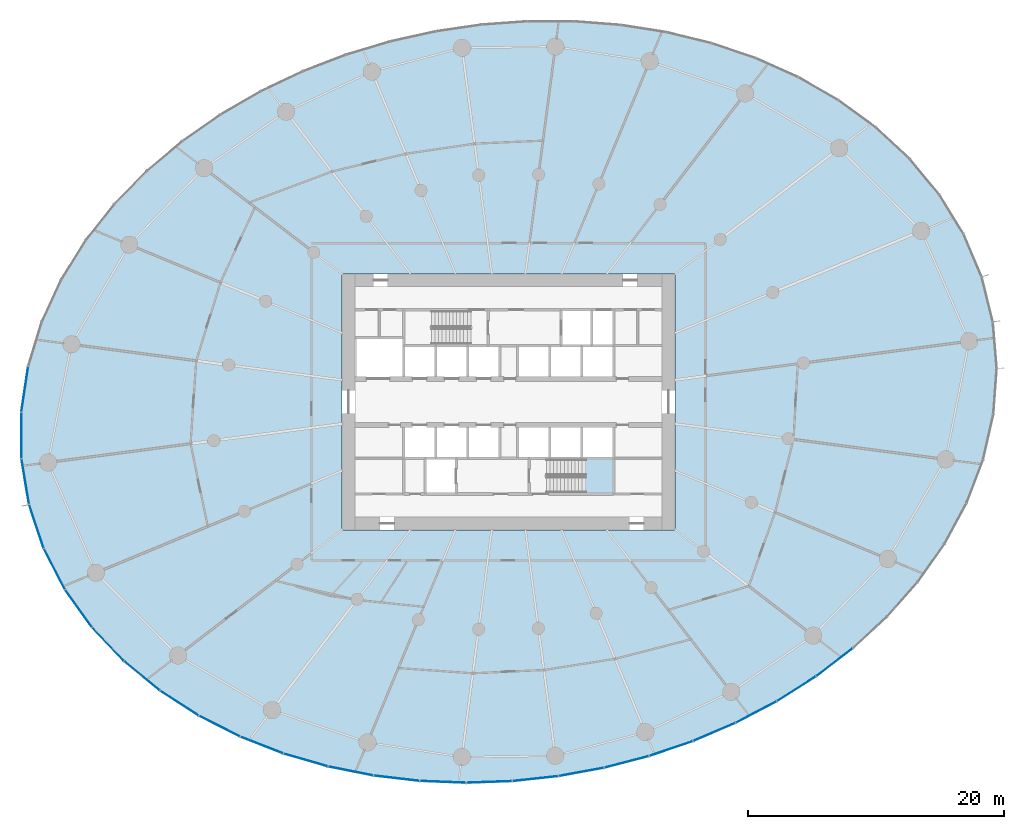
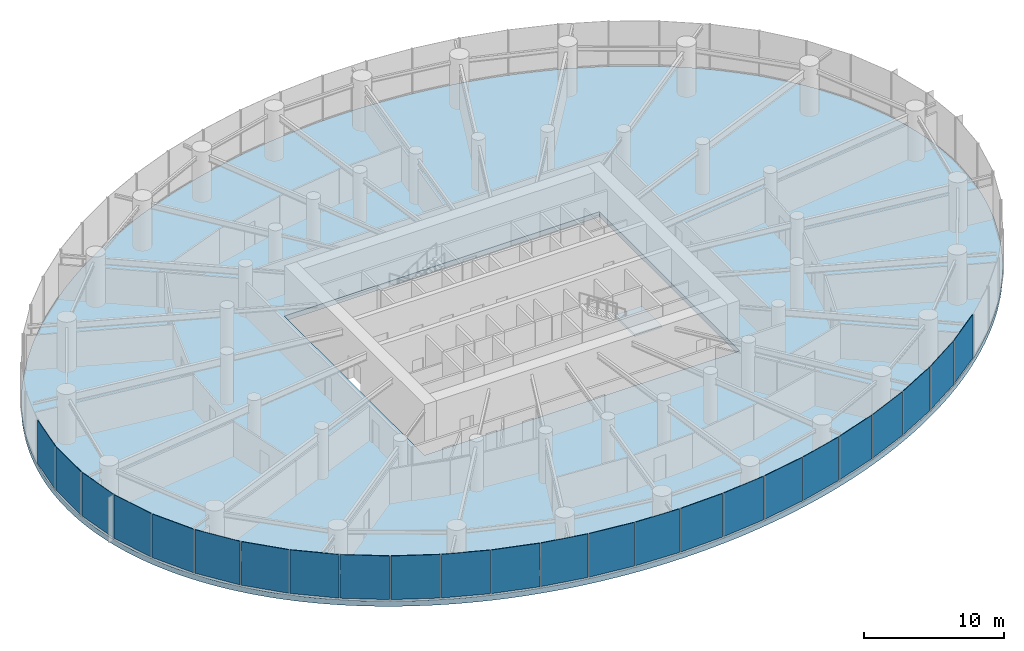
# One storey, part 10 of 19: 24 plates, 2 slabs, 6 elements without a shape of their own.
"""IFC4 building model written with IfcOpenShell, lengths in metres."""

from ifc_helpers import new_model, si_unit, direction, frame, origin, origin_2d, place, context, subcontext, project, spatial, line, indexed_curve, rectangle, outline, extrude, source, transform, mapped, material, layer, layer_set, type_object, element, aggregate, save


model = new_model("IFC4")

# Units and contexts
model_context = context("Model", 3, precision=1e-05, world=origin(), true_north=direction((0.0, 1.0)))
body_context = subcontext(model_context, "Body", "Model", "MODEL_VIEW")
ifc_project = project(units=[si_unit("LENGTHUNIT", "METRE"), si_unit("AREAUNIT", "SQUARE_METRE"), si_unit("VOLUMEUNIT", "CUBIC_METRE"), si_unit("PLANEANGLEUNIT", "RADIAN"), si_unit("MASSUNIT", "GRAM", prefix="KILO")], contexts=[model_context])

# Site, building, storey
site_placement = place(None, origin())
site = spatial("IfcSite", under=ifc_project, at=site_placement, CompositionType="ELEMENT")
building_placement = place(site_placement, origin())
building = spatial("IfcBuilding", under=site, at=building_placement, Name="Spindrift Exchange Tower", CompositionType="ELEMENT")
storey_placement = place(building_placement, frame((0.0, 0.0, 49.0)))
storey = spatial("IfcBuildingStorey", under=building, at=storey_placement, Name="L11", CompositionType="ELEMENT", Elevation=49.0)

# Slab
ifc_material_1 = material(Name="Concrete 50 MPa", Category="concrete")
ifc_layer_1 = layer(ifc_material_1, 0.449951171875)
ifc_layer_set_1 = layer_set([ifc_layer_1], Name="RC Floor Slab 450 Concrete 50 MPa")
slab_type_1 = type_object("IfcSlabType", Name="RC Floor Slab 450 Concrete 50 MPa", PredefinedType="FLOOR", material=ifc_layer_set_1)
slab_1_placement = place(storey_placement, frame((0.0, 0.0, -0.449951171875)))
element("IfcSlab", 1, at=slab_1_placement, inside=storey, type_object=slab_type_1, Name="Floor slab L11", PredefinedType="FLOOR", context=body_context, shape_type="SweptSolid", body=[
    extrude(outline(indexed_curve([(89.839111328125, 54.239501953125), (89.734619140625, 54.82470703125), (89.614990234375, 55.4072265625), (89.47998046875, 55.986328125), (89.330078125, 56.561767578125), (89.1650390625, 57.133056640625), (88.985595703125, 57.69970703125), (88.791259765625, 58.26171875), (88.582763671875, 58.818603515625), (88.35986328125, 59.3701171875), (88.123291015625, 59.91552734375), (87.873046875, 60.454833984375), (87.609375, 60.98779296875), (87.33251953125, 61.513916015625), (87.04296875, 62.033447265625), (86.740966796875, 62.54541015625), (86.426513671875, 63.05029296875), (86.100341796875, 63.54736328125), (85.7626953125, 64.036865234375), (85.41357421875, 64.518310546875), (85.0537109375, 64.991455078125), (84.68310546875, 65.456298828125), (84.302001953125, 65.9130859375), (83.911376953125, 66.361083984375), (83.5107421875, 66.800537109375), (83.100830078125, 67.2314453125), (82.68212890625, 67.653564453125), (82.25439453125, 68.066650390625), (81.818603515625, 68.47119140625), (81.37451171875, 68.866455078125), (80.922607421875, 69.2529296875), (80.463134765625, 69.63037109375), (79.99658203125, 69.9990234375), (79.52294921875, 70.3583984375), (79.04248046875, 70.708984375), (78.555908203125, 71.050537109375), (78.06298828125, 71.383056640625), (77.56396484375, 71.70654296875), (77.0595703125, 72.021240234375), (76.549560546875, 72.326904296875), (76.0341796875, 72.623779296875), (75.513916015625, 72.911865234375), (74.989013671875, 73.191162109375), (73.925537109375, 73.72314453125), (73.387451171875, 73.976318359375), (72.29931640625, 74.456298828125), (71.75, 74.683349609375), (70.640869140625, 75.1123046875), (69.519287109375, 75.5078125), (68.9541015625, 75.69287109375), (68.386474609375, 75.86962890625), (67.24365234375, 76.198974609375), (66.6689453125, 76.351318359375), (65.513427734375, 76.632080078125), (64.932861328125, 76.760498046875), (63.7666015625, 76.99365234375), (63.181396484375, 77.098388671875), (62.0068359375, 77.284912109375), (61.417724609375, 77.366455078125), (60.23681640625, 77.506591796875), (59.645263671875, 77.565185546875), (58.459716796875, 77.660400390625), (57.8662109375, 77.696533203125), (56.677978515625, 77.74658203125), (56.08349609375, 77.7607421875), (54.894287109375, 77.76708984375), (54.2998046875, 77.759033203125), (53.111083984375, 77.7216796875), (52.517333984375, 77.6923828125), (51.330810546875, 77.61181640625), (50.146484375, 77.5029296875), (49.5556640625, 77.437744140625), (48.3759765625, 77.286376953125), (47.200439453125, 77.10693359375), (46.029296875, 76.8994140625), (45.44580078125, 76.785400390625), (44.283203125, 76.535888671875), (43.126708984375, 76.259033203125), (42.55078125, 76.110107421875), (41.4052734375, 75.79150390625), (40.267578125, 75.4453125), (39.701904296875, 75.26171875), (38.57763671875, 74.874267578125), (38.01904296875, 74.669921875), (37.463134765625, 74.458984375), (36.359619140625, 74.01611328125), (35.267333984375, 73.545654296875), (34.725830078125, 73.300048828125), (33.65234375, 72.7880859375), (33.120849609375, 72.521484375), (32.068359375, 71.968017578125), (31.547607421875, 71.680908203125), (30.51806640625, 71.085693359375), (30.009521484375, 70.77783203125), (29.005126953125, 70.140869140625), (28.509765625, 69.81201171875), (27.533203125, 69.13330078125), (27.052490234375, 68.783447265625), (26.106201171875, 68.06298828125), (25.641357421875, 67.692138671875), (24.728759765625, 66.929931640625), (24.28125, 66.538330078125), (23.83984375, 66.139892578125), (22.9765625, 65.322021484375), (22.14013671875, 64.4765625), (21.732666015625, 64.043701171875), (21.33251953125, 63.60400390625), (20.939697265625, 63.1572265625), (20.554931640625, 62.7041015625), (20.177978515625, 62.243896484375), (19.8095703125, 61.77734375), (19.449462890625, 61.30419921875), (19.09814453125, 60.824462890625), (18.755859375, 60.33837890625), (18.422607421875, 59.845703125), (18.09912109375, 59.346923828125), (17.78515625, 58.841796875), (17.481201171875, 58.330810546875), (17.187744140625, 57.813720703125), (16.904541015625, 57.291015625), (16.63232421875, 56.76220703125), (16.37109375, 56.22802734375), (16.121337890625, 55.6884765625), (15.883056640625, 55.143798828125), (15.65673828125, 54.59375), (15.442626953125, 54.0390625), (15.240966796875, 53.479736328125), (15.052001953125, 52.916015625), (14.8759765625, 52.347900390625), (14.71337890625, 51.776123046875), (14.56396484375, 51.200439453125), (14.42822265625, 50.62158203125), (14.306640625, 50.03955078125), (14.19921875, 49.45458984375), (14.10595703125, 48.867431640625), (14.02734375, 48.278076171875), (13.96337890625, 47.68701171875), (13.91455078125, 47.09423828125), (13.880615234375, 46.500732421875), (13.86181640625, 45.906494140625), (13.8583984375, 45.311767578125), (13.8701171875, 44.71728515625), (13.8974609375, 44.123291015625), (13.940185546875, 43.5302734375), (13.998291015625, 42.9384765625), (14.072021484375, 42.348388671875), (14.160888671875, 41.760498046875), (14.265380859375, 41.17529296875), (14.385009765625, 40.5927734375), (14.52001953125, 40.013671875), (14.669921875, 39.438232421875), (14.8349609375, 38.866943359375), (15.014404296875, 38.30029296875), (15.208740234375, 37.73828125), (15.417236328125, 37.181396484375), (15.64013671875, 36.6298828125), (15.876708984375, 36.08447265625), (16.126953125, 35.545166015625), (16.390625, 35.01220703125), (16.66748046875, 34.486083984375), (16.95703125, 33.966552734375), (17.259033203125, 33.45458984375), (17.573486328125, 32.94970703125), (17.899658203125, 32.45263671875), (18.2373046875, 31.963134765625), (18.58642578125, 31.481689453125), (18.9462890625, 31.008544921875), (19.31689453125, 30.543701171875), (19.697998046875, 30.0869140625), (20.088623046875, 29.638916015625), (20.4892578125, 29.199462890625), (20.899169921875, 28.7685546875), (21.31787109375, 28.346435546875), (21.74560546875, 27.933349609375), (22.181396484375, 27.52880859375), (22.62548828125, 27.133544921875), (23.077392578125, 26.7470703125), (23.536865234375, 26.36962890625), (24.00341796875, 26.0009765625), (24.47705078125, 25.6416015625), (24.95751953125, 25.291015625), (25.444091796875, 24.949462890625), (25.93701171875, 24.616943359375), (26.43603515625, 24.29345703125), (26.9404296875, 23.978759765625), (27.450439453125, 23.673095703125), (27.9658203125, 23.376220703125), (28.486083984375, 23.088134765625), (29.010986328125, 22.808837890625), (30.074462890625, 22.27685546875), (30.612548828125, 22.023681640625), (31.70068359375, 21.543701171875), (32.25, 21.316650390625), (33.359130859375, 20.8876953125), (34.480712890625, 20.4921875), (35.0458984375, 20.30712890625), (35.613525390625, 20.13037109375), (36.75634765625, 19.801025390625), (37.3310546875, 19.648681640625), (38.486572265625, 19.367919921875), (39.067138671875, 19.239501953125), (40.2333984375, 19.00634765625), (40.818603515625, 18.901611328125), (41.9931640625, 18.715087890625), (42.582275390625, 18.633544921875), (43.76318359375, 18.493408203125), (44.354736328125, 18.434814453125), (45.540283203125, 18.339599609375), (46.1337890625, 18.303466796875), (47.322021484375, 18.25341796875), (47.91650390625, 18.2392578125), (49.105712890625, 18.23291015625), (49.7001953125, 18.240966796875), (50.888916015625, 18.2783203125), (51.482666015625, 18.3076171875), (52.669189453125, 18.38818359375), (53.853515625, 18.4970703125), (54.4443359375, 18.562255859375), (55.6240234375, 18.713623046875), (56.799560546875, 18.89306640625), (57.970703125, 19.1005859375), (58.55419921875, 19.214599609375), (59.716796875, 19.464111328125), (60.873291015625, 19.740966796875), (61.44921875, 19.889892578125), (62.5947265625, 20.20849609375), (63.732421875, 20.5546875), (64.298095703125, 20.73828125), (65.42236328125, 21.125732421875), (65.98095703125, 21.330078125), (67.090087890625, 21.759033203125), (67.640380859375, 21.98388671875), (68.732666015625, 22.454345703125), (69.274169921875, 22.699951171875), (70.34765625, 23.2119140625), (70.879150390625, 23.478515625), (71.931640625, 24.031982421875), (72.452392578125, 24.319091796875), (73.48193359375, 24.914306640625), (73.990478515625, 25.22216796875), (74.994873046875, 25.859130859375), (75.490234375, 26.18798828125), (76.466796875, 26.86669921875), (76.947509765625, 27.216552734375), (77.893798828125, 27.93701171875), (78.358642578125, 28.307861328125), (79.271240234375, 29.070068359375), (79.71875, 29.461669921875), (80.16015625, 29.860107421875), (81.0234375, 30.677978515625), (81.85986328125, 31.5234375), (82.267333984375, 31.956298828125), (82.66748046875, 32.39599609375), (83.060302734375, 32.8427734375), (83.445068359375, 33.2958984375), (83.822021484375, 33.756103515625), (84.1904296875, 34.22265625), (84.550537109375, 34.69580078125), (84.90185546875, 35.175537109375), (85.244140625, 35.66162109375), (85.577392578125, 36.154296875), (85.90087890625, 36.653076171875), (86.21484375, 37.158203125), (86.518798828125, 37.669189453125), (86.812255859375, 38.186279296875), (87.095458984375, 38.708984375), (87.36767578125, 39.23779296875), (87.62890625, 39.77197265625), (87.878662109375, 40.3115234375), (88.116943359375, 40.856201171875), (88.34326171875, 41.40625), (88.557373046875, 41.9609375), (88.759033203125, 42.520263671875), (88.947998046875, 43.083984375), (89.1240234375, 43.652099609375), (89.28662109375, 44.223876953125), (89.43603515625, 44.799560546875), (89.57177734375, 45.37841796875), (89.693359375, 45.96044921875), (89.80078125, 46.54541015625), (89.89404296875, 47.132568359375), (89.97265625, 47.721923828125), (90.03662109375, 48.31298828125), (90.08544921875, 48.90576171875), (90.119384765625, 49.499267578125), (90.13818359375, 50.093505859375), (90.1416015625, 50.688232421875), (90.1298828125, 51.28271484375), (90.1025390625, 51.876708984375), (90.059814453125, 52.4697265625), (90.001708984375, 53.0615234375), (89.927978515625, 53.651611328125)], segments=[line(1, 2, 3, 4, 5, 6, 7, 8, 9, 10, 11, 12, 13, 14, 15, 16, 17, 18, 19, 20, 21, 22, 23, 24, 25, 26, 27, 28, 29, 30, 31, 32, 33, 34, 35, 36, 37, 38, 39, 40, 41, 42, 43, 44, 45, 46, 47, 48, 49, 50, 51, 52, 53, 54, 55, 56, 57, 58, 59, 60, 61, 62, 63, 64, 65, 66, 67, 68, 69, 70, 71, 72, 73, 74, 75, 76, 77, 78, 79, 80, 81, 82, 83, 84, 85, 86, 87, 88, 89, 90, 91, 92, 93, 94, 95, 96, 97, 98, 99, 100, 101, 102, 103, 104, 105, 106, 107, 108, 109, 110, 111, 112, 113, 114, 115, 116, 117, 118, 119, 120, 121, 122, 123, 124, 125, 126, 127, 128, 129, 130, 131, 132, 133, 134, 135, 136, 137, 138, 139, 140, 141, 142, 143, 144, 145, 146, 147, 148, 149, 150, 151, 152, 153, 154, 155, 156, 157, 158, 159, 160, 161, 162, 163, 164, 165, 166, 167, 168, 169, 170, 171, 172, 173, 174, 175, 176, 177, 178, 179, 180, 181, 182, 183, 184, 185, 186, 187, 188, 189, 190, 191, 192, 193, 194, 195, 196, 197, 198, 199, 200, 201, 202, 203, 204, 205, 206, 207, 208, 209, 210, 211, 212, 213, 214, 215, 216, 217, 218, 219, 220, 221, 222, 223, 224, 225, 226, 227, 228, 229, 230, 231, 232, 233, 234, 235, 236, 237, 238, 239, 240, 241, 242, 243, 244, 245, 246, 247, 248, 249, 250, 251, 252, 253, 254, 255, 256, 257, 258, 259, 260, 261, 262, 263, 264, 265, 266, 267, 268, 269, 270, 271, 272, 273, 274, 275, 276, 277, 278, 279, 280, 281, 282, 283, 284, 285, 286, 287, 288, 289, 290, 291, 292, 1)], self_intersect=False), holes=[indexed_curve([(39.0, 38.0), (65.0, 38.0), (65.0, 58.0), (39.0, 58.0)], segments=[line(1, 2, 3, 4, 1)], self_intersect=False)]), origin(), (0.0, 0.0, 1.0), 0.449951171875),
])

# Stair, slab
stair_type = type_object("IfcStairType", Name="ST-1250-R183", PredefinedType="HALF_TURN_STAIR", material=ifc_material_1)
stair_placement = place(storey_placement, origin())
stair = element("IfcStair", 2, at=stair_placement, inside=storey, type_object=stair_type, Name="L11 Exit stair ST2", PredefinedType="HALF_TURN_STAIR")
ifc_layer_2 = layer(ifc_material_1, 0.199951171875)
ifc_layer_set_2 = layer_set([ifc_layer_2], Name="SL-LANDING")
slab_type_2 = type_object("IfcSlabType", Name="SL-LANDING", PredefinedType="LANDING", material=ifc_layer_set_2)
slab_2_placement = place(storey_placement, frame((0.0, 0.0, 2.0)))
slab_2 = element("IfcSlab", 3, at=slab_2_placement, type_object=slab_type_2, Name="ST2 landing 1", PredefinedType="LANDING", context=body_context, shape_type="SweptSolid", body=[
    extrude(outline(indexed_curve([(57.949951171875, 43.60009765625), (60.199951171875, 43.60009765625), (60.199951171875, 40.800048828125), (57.949951171875, 40.800048828125)], segments=[line(1, 2, 3, 4, 1)], self_intersect=False)), origin(), (0.0, 0.0, 1.0), 0.199951171875),
])
aggregate(stair, [slab_2])

# Curtain wall, plate
ifc_material_2 = material(Name="Fritted laminated glass with bronze frame", Category="glass")
ifc_layer_3 = layer(ifc_material_2, 0.199951171875)
ifc_layer_set_3 = layer_set([ifc_layer_3], Name="ZONE 1 BRONZE FRITTED WALL")
curtain_wall_type = type_object("IfcCurtainWallType", Name="ZONE 1 BRONZE FRITTED WALL", PredefinedType="NOTDEFINED", material=ifc_layer_set_3)
curtain_wall_1_placement = place(storey_placement, origin())
curtain_wall_1 = element("IfcCurtainWall", 4, at=curtain_wall_1_placement, inside=storey, type_object=curtain_wall_type, Name="L11 Zone 1 Bronze Fritted Wall run 6", PredefinedType="NOTDEFINED")
ifc_material_3 = material(Name="Bronze fritted laminated glass, dense frit", Category="glass")
ifc_layer_4 = layer(ifc_material_3, 0.035888671875)
ifc_layer_set_4 = layer_set([ifc_layer_4], Name="ZONE 1 BRONZE FRITTED WALL PANEL DENSE FRIT 180")
plate_type_1 = type_object("IfcPlateType", Name="ZONE 1 BRONZE FRITTED WALL PANEL DENSE FRIT 180", PredefinedType="CURTAIN_PANEL", material=ifc_layer_set_4)
shared_shape_1 = source(origin(), body_context, "Body", "SweptSolid", [
    extrude(rectangle(XDim=3.5458984375, YDim=0.035888671875, at=origin_2d()), origin(), (0.0, 0.0, 1.0), 3.800048828125),
])
plate_1_placement = place(storey_placement, frame((23.344482421875, 26.595703125, 0.14990234375), z_axis=(0.0, 0.0, 1.0), x_axis=(0.772472063913, -0.635048746533, 0.0)))
plate_1 = element("IfcPlate", 5, at=plate_1_placement, type_object=plate_type_1, Name="L11 panel CW-1.35", PredefinedType="CURTAIN_PANEL", context=body_context, shape_type="MappedRepresentation", body=[
    mapped(shared_shape_1, transform((0.0, 0.0, 0.0), scale=1.0)),
])

curtain_wall_2_placement = place(storey_placement, origin())
curtain_wall_2 = element("IfcCurtainWall", 6, at=curtain_wall_2_placement, inside=storey, type_object=curtain_wall_type, Name="L11 Zone 1 Bronze Fritted Wall run 9", PredefinedType="NOTDEFINED")
ifc_layer_5 = layer(ifc_material_3, 0.035888671875)
ifc_layer_set_5 = layer_set([ifc_layer_5], Name="ZONE 1 BRONZE FRITTED WALL PANEL DENSE FRIT 420")
plate_type_2 = type_object("IfcPlateType", Name="ZONE 1 BRONZE FRITTED WALL PANEL DENSE FRIT 420", PredefinedType="CURTAIN_PANEL", material=ifc_layer_set_5)
shared_shape_2 = source(origin(), body_context, "Body", "SweptSolid", [
    extrude(rectangle(XDim=3.547119140625, YDim=0.035888671875, at=origin_2d()), origin(), (0.0, 0.0, 1.0), 3.800048828125),
])
plate_2_placement = place(storey_placement, frame((77.46240234375, 27.65478515625, 0.14990234375), z_axis=(0.0, 0.0, 1.0), x_axis=(0.794189831146, 0.607669739335, 0.0)))
plate_2 = element("IfcPlate", 7, at=plate_2_placement, type_object=plate_type_2, Name="L11 panel CW-1.51", PredefinedType="CURTAIN_PANEL", context=body_context, shape_type="MappedRepresentation", body=[
    mapped(shared_shape_2, transform((0.0, 0.0, 0.0), scale=1.0)),
])

curtain_wall_3_placement = place(storey_placement, origin())
curtain_wall_3 = element("IfcCurtainWall", 8, at=curtain_wall_3_placement, inside=storey, type_object=curtain_wall_type, Name="L11 Zone 1 Bronze Fritted Wall run 7", PredefinedType="NOTDEFINED")
ifc_layer_6 = layer(ifc_material_3, 0.035888671875)
ifc_layer_set_6 = layer_set([ifc_layer_6], Name="ZONE 1 BRONZE FRITTED WALL PANEL DENSE FRIT 300")
plate_type_3 = type_object("IfcPlateType", Name="ZONE 1 BRONZE FRITTED WALL PANEL DENSE FRIT 300", PredefinedType="CURTAIN_PANEL", material=ifc_layer_set_6)
shared_shape_3 = source(origin(), body_context, "Body", "SweptSolid", [
    extrude(rectangle(XDim=3.547119140625, YDim=0.035888671875, at=origin_2d()), origin(), (0.0, 0.0, 1.0), 3.800048828125),
])
plate_3_placement = place(storey_placement, frame((39.666748046875, 19.153564453125, 0.14990234375), z_axis=(0.0, 0.0, 1.0), x_axis=(0.980610212417, -0.195968393633, 0.0)))
plate_3 = element("IfcPlate", 9, at=plate_3_placement, type_object=plate_type_3, Name="L11 panel CW-1.40", PredefinedType="CURTAIN_PANEL", context=body_context, shape_type="MappedRepresentation", body=[
    mapped(shared_shape_3, transform((0.0, 0.0, 0.0), scale=1.0)),
])

# Curtain wall, plates
curtain_wall_4_placement = place(storey_placement, origin())
curtain_wall_4 = element("IfcCurtainWall", 10, at=curtain_wall_4_placement, inside=storey, type_object=curtain_wall_type, Name="L11 Zone 1 Bronze Fritted Wall run 8", PredefinedType="NOTDEFINED")
shared_shape_4 = source(origin(), body_context, "Body", "SweptSolid", [
    extrude(rectangle(XDim=3.54736328125, YDim=0.035888671875, at=origin_2d()), origin(), (0.0, 0.0, 1.0), 3.800048828125),
])
plate_4_placement = place(storey_placement, frame((61.226318359375, 19.865966796875, 0.14990234375), z_axis=(0.0, 0.0, 1.0), x_axis=(0.967740399078, 0.251949439358, 0.0)))
plate_4 = element("IfcPlate", 11, at=plate_4_placement, type_object=plate_type_3, Name="L11 panel CW-1.46", PredefinedType="CURTAIN_PANEL", context=body_context, shape_type="MappedRepresentation", body=[
    mapped(shared_shape_4, transform((0.0, 0.0, 0.0), scale=1.0)),
])
plate_5_placement = place(storey_placement, frame((68.08154296875, 22.2080078125, 0.14990234375), z_axis=(0.0, 0.0, 1.0), x_axis=(0.919223323785, 0.393736562956, 0.0)))
plate_5 = element("IfcPlate", 12, at=plate_5_placement, type_object=plate_type_3, Name="L11 panel CW-1.48", PredefinedType="CURTAIN_PANEL", context=body_context, shape_type="MappedRepresentation", body=[
    mapped(shared_shape_4, transform((0.0, 0.0, 0.0), scale=1.0)),
])

# Plate
plate_6_placement = place(storey_placement, frame((71.3544921875, 23.76513671875, 0.14990234375), z_axis=(0.0, 0.0, 1.0), x_axis=(0.885425264498, 0.464781777815, 0.0)))
plate_6 = element("IfcPlate", 13, at=plate_6_placement, type_object=plate_type_3, Name="L11 panel CW-1.49", PredefinedType="CURTAIN_PANEL", context=body_context, shape_type="MappedRepresentation", body=[
    mapped(shared_shape_4, transform((0.0, 0.0, 0.0), scale=1.0)),
])

shared_shape_5 = source(origin(), body_context, "Body", "SweptSolid", [
    extrude(rectangle(XDim=3.54736328125, YDim=0.035888671875, at=origin_2d()), origin(), (0.0, 0.0, 1.0), 3.800048828125),
])
plate_7_placement = place(storey_placement, frame((43.246337890625, 18.5869140625, 0.14990234375), z_axis=(0.0, 0.0, 1.0), x_axis=(0.993186930165, -0.11653206318, 0.0)))
plate_7 = element("IfcPlate", 14, at=plate_7_placement, type_object=plate_type_1, Name="L11 panel CW-1.41", PredefinedType="CURTAIN_PANEL", context=body_context, shape_type="MappedRepresentation", body=[
    mapped(shared_shape_5, transform((0.0, 0.0, 0.0), scale=1.0)),
])

plate_8_placement = place(storey_placement, frame((50.484619140625, 18.2958984375, 0.14990234375), z_axis=(0.0, 0.0, 1.0), x_axis=(0.999377229734, 0.035286721135, 0.0)))
plate_8 = element("IfcPlate", 15, at=plate_8_placement, type_object=plate_type_1, Name="L11 panel CW-1.43", PredefinedType="CURTAIN_PANEL", context=body_context, shape_type="MappedRepresentation", body=[
    mapped(shared_shape_5, transform((0.0, 0.0, 0.0), scale=1.0)),
])

shared_shape_6 = source(origin(), body_context, "Body", "SweptSolid", [
    extrude(rectangle(XDim=3.54736328125, YDim=0.035888671875, at=origin_2d()), origin(), (0.0, 0.0, 1.0), 3.800048828125),
])
plate_9_placement = place(storey_placement, frame((46.85986328125, 18.3037109375, 0.14990234375), z_axis=(0.0, 0.0, 1.0), x_axis=(0.999216100445, -0.039587682569, 0.0)))
plate_9 = element("IfcPlate", 16, at=plate_9_placement, type_object=plate_type_2, Name="L11 panel CW-1.42", PredefinedType="CURTAIN_PANEL", context=body_context, shape_type="MappedRepresentation", body=[
    mapped(shared_shape_6, transform((0.0, 0.0, 0.0), scale=1.0)),
])

plate_10_placement = place(storey_placement, frame((54.100341796875, 18.556884765625, 0.14990234375), z_axis=(0.0, 0.0, 1.0), x_axis=(0.994092764048, 0.108533757269, 0.0)))
plate_10 = element("IfcPlate", 17, at=plate_10_placement, type_object=plate_type_2, Name="L11 panel CW-1.44", PredefinedType="CURTAIN_PANEL", context=body_context, shape_type="MappedRepresentation", body=[
    mapped(shared_shape_6, transform((0.0, 0.0, 0.0), scale=1.0)),
])

plate_11_placement = place(storey_placement, frame((64.697998046875, 20.908447265625, 0.14990234375), z_axis=(0.0, 0.0, 1.0), x_axis=(0.946440952638, 0.322876947411, 0.0)))
plate_11 = element("IfcPlate", 18, at=plate_11_placement, type_object=plate_type_2, Name="L11 panel CW-1.47", PredefinedType="CURTAIN_PANEL", context=body_context, shape_type="MappedRepresentation", body=[
    mapped(shared_shape_6, transform((0.0, 0.0, 0.0), scale=1.0)),
])

shared_shape_7 = source(origin(), body_context, "Body", "SweptSolid", [
    extrude(rectangle(XDim=3.547119140625, YDim=0.035888671875, at=origin_2d()), origin(), (0.0, 0.0, 1.0), 3.800048828125),
])
plate_12_placement = place(storey_placement, frame((36.146240234375, 20.013671875, 0.14990234375), z_axis=(0.0, 0.0, 1.0), x_axis=(0.960519792471, -0.278211660918, 0.0)))
plate_12 = element("IfcPlate", 19, at=plate_12_placement, type_object=plate_type_1, Name="L11 panel CW-1.39", PredefinedType="CURTAIN_PANEL", context=body_context, shape_type="MappedRepresentation", body=[
    mapped(shared_shape_7, transform((0.0, 0.0, 0.0), scale=1.0)),
])

plate_13_placement = place(storey_placement, frame((74.491455078125, 25.580322265625, 0.14990234375), z_axis=(0.0, 0.0, 1.0), x_axis=(0.844138028093, 0.536125908278, 0.0)))
plate_13 = element("IfcPlate", 20, at=plate_13_placement, type_object=plate_type_1, Name="L11 panel CW-1.50", PredefinedType="CURTAIN_PANEL", context=body_context, shape_type="MappedRepresentation", body=[
    mapped(shared_shape_7, transform((0.0, 0.0, 0.0), scale=1.0)),
])

aggregate(curtain_wall_2, [plate_6, plate_13, plate_2])

shared_shape_8 = source(origin(), body_context, "Body", "SweptSolid", [
    extrude(rectangle(XDim=3.546875, YDim=0.035888671875, at=origin_2d()), origin(), (0.0, 0.0, 1.0), 3.800048828125),
])
plate_14_placement = place(storey_placement, frame((32.715087890625, 21.177490234375, 0.14990234375), z_axis=(0.0, 0.0, 1.0), x_axis=(0.931570083157, -0.363561796903, 0.0)))
plate_14 = element("IfcPlate", 21, at=plate_14_placement, type_object=plate_type_2, Name="L11 panel CW-1.38", PredefinedType="CURTAIN_PANEL", context=body_context, shape_type="MappedRepresentation", body=[
    mapped(shared_shape_8, transform((0.0, 0.0, 0.0), scale=1.0)),
])

# Curtain wall, plates
curtain_wall_5_placement = place(storey_placement, origin())
curtain_wall_5 = element("IfcCurtainWall", 22, at=curtain_wall_5_placement, inside=storey, type_object=curtain_wall_type, Name="L11 Zone 1 Bronze Fritted Wall run 5", PredefinedType="NOTDEFINED")
shared_shape_9 = source(origin(), body_context, "Body", "SweptSolid", [
    extrude(rectangle(XDim=3.54443359375, YDim=0.035888671875, at=origin_2d()), origin(), (0.0, 0.0, 1.0), 3.800048828125),
])
plate_15_placement = place(storey_placement, frame((14.232421875, 41.7724609375, 0.14990234375), z_axis=(0.0, 0.0, 1.0), x_axis=(0.162702604327, -0.986675155533, 0.0)))
plate_15 = element("IfcPlate", 23, at=plate_15_placement, type_object=plate_type_2, Name="L11 panel CW-1.30", PredefinedType="CURTAIN_PANEL", context=body_context, shape_type="MappedRepresentation", body=[
    mapped(shared_shape_9, transform((0.0, 0.0, 0.0), scale=1.0)),
])
shared_shape_10 = source(origin(), body_context, "Body", "SweptSolid", [
    extrude(rectangle(XDim=3.54443359375, YDim=0.035888671875, at=origin_2d()), origin(), (0.0, 0.0, 1.0), 3.800048828125),
])
plate_16_placement = place(storey_placement, frame((13.92919921875, 45.37255859375, 0.14990234375), z_axis=(0.0, 0.0, 1.0), x_axis=(0.004551802971, -0.999989640491, 0.0)))
plate_16 = element("IfcPlate", 24, at=plate_16_placement, type_object=plate_type_3, Name="L11 panel CW-1.29", PredefinedType="CURTAIN_PANEL", context=body_context, shape_type="MappedRepresentation", body=[
    mapped(shared_shape_10, transform((0.0, 0.0, 0.0), scale=1.0)),
])

# Plate
plate_17_placement = place(storey_placement, frame((15.101318359375, 38.265380859375, 0.14990234375), z_axis=(0.0, 0.0, 1.0), x_axis=(0.316731921176, -0.948515097459, 0.0)))
plate_17 = element("IfcPlate", 25, at=plate_17_placement, type_object=plate_type_3, Name="L11 panel CW-1.31", PredefinedType="CURTAIN_PANEL", context=body_context, shape_type="MappedRepresentation", body=[
    mapped(shared_shape_10, transform((0.0, 0.0, 0.0), scale=1.0)),
])

shared_shape_11 = source(origin(), body_context, "Body", "SweptSolid", [
    extrude(rectangle(XDim=3.544921875, YDim=0.035888671875, at=origin_2d()), origin(), (0.0, 0.0, 1.0), 3.800048828125),
])
plate_18_placement = place(storey_placement, frame((14.19140625, 48.97705078125, 0.14990234375), z_axis=(0.0, 0.0, 1.0), x_axis=(-0.149083193001, -0.988824656633, 0.0)))
plate_18 = element("IfcPlate", 26, at=plate_18_placement, type_object=plate_type_2, Name="L11 panel CW-1.28", PredefinedType="CURTAIN_PANEL", context=body_context, shape_type="MappedRepresentation", body=[
    mapped(shared_shape_11, transform((0.0, 0.0, 0.0), scale=1.0)),
])

aggregate(curtain_wall_5, [plate_18, plate_16, plate_15])

shared_shape_12 = source(origin(), body_context, "Body", "SweptSolid", [
    extrude(rectangle(XDim=3.545166015625, YDim=0.035888671875, at=origin_2d()), origin(), (0.0, 0.0, 1.0), 3.800048828125),
])
plate_19_placement = place(storey_placement, frame((18.39453125, 31.852783203125, 0.14990234375), z_axis=(0.0, 0.0, 1.0), x_axis=(0.583010997002, -0.812464262214, 0.0)))
plate_19 = element("IfcPlate", 27, at=plate_19_placement, type_object=plate_type_3, Name="L11 panel CW-1.33", PredefinedType="CURTAIN_PANEL", context=body_context, shape_type="MappedRepresentation", body=[
    mapped(shared_shape_12, transform((0.0, 0.0, 0.0), scale=1.0)),
])

shared_shape_13 = source(origin(), body_context, "Body", "SweptSolid", [
    extrude(rectangle(XDim=3.54638671875, YDim=0.035888671875, at=origin_2d()), origin(), (0.0, 0.0, 1.0), 3.800048828125),
])
plate_20_placement = place(storey_placement, frame((26.267578125, 24.460205078125, 0.14990234375), z_axis=(0.0, 0.0, 1.0), x_axis=(0.839823629342, -0.542859347897, 0.0)))
plate_20 = element("IfcPlate", 28, at=plate_20_placement, type_object=plate_type_1, Name="L11 panel CW-1.36", PredefinedType="CURTAIN_PANEL", context=body_context, shape_type="MappedRepresentation", body=[
    mapped(shared_shape_13, transform((0.0, 0.0, 0.0), scale=1.0)),
])

shared_shape_14 = source(origin(), body_context, "Body", "SweptSolid", [
    extrude(rectangle(XDim=3.546630859375, YDim=0.035888671875, at=origin_2d()), origin(), (0.0, 0.0, 1.0), 3.800048828125),
])
plate_21_placement = place(storey_placement, frame((29.408203125, 22.65625, 0.14990234375), z_axis=(0.0, 0.0, 1.0), x_axis=(0.892042978601, -0.451950577307, 0.0)))
plate_21 = element("IfcPlate", 29, at=plate_21_placement, type_object=plate_type_2, Name="L11 panel CW-1.37", PredefinedType="CURTAIN_PANEL", context=body_context, shape_type="MappedRepresentation", body=[
    mapped(shared_shape_14, transform((0.0, 0.0, 0.0), scale=1.0)),
])

aggregate(curtain_wall_3, [plate_21, plate_14, plate_12, plate_3, plate_7, plate_9])

shared_shape_15 = source(origin(), body_context, "Body", "SweptSolid", [
    extrude(rectangle(XDim=3.544921875, YDim=0.035888671875, at=origin_2d()), origin(), (0.0, 0.0, 1.0), 3.800048828125),
])
plate_22_placement = place(storey_placement, frame((16.506591796875, 34.935791015625, 0.14990234375), z_axis=(0.0, 0.0, 1.0), x_axis=(0.458675920086, -0.888603623858, 0.0)))
plate_22 = element("IfcPlate", 30, at=plate_22_placement, type_object=plate_type_3, Name="L11 panel CW-1.32", PredefinedType="CURTAIN_PANEL", context=body_context, shape_type="MappedRepresentation", body=[
    mapped(shared_shape_15, transform((0.0, 0.0, 0.0), scale=1.0)),
])

shared_shape_16 = source(origin(), body_context, "Body", "SweptSolid", [
    extrude(rectangle(XDim=3.547607421875, YDim=0.035888671875, at=origin_2d()), origin(), (0.0, 0.0, 1.0), 3.800048828125),
])
plate_23_placement = place(storey_placement, frame((57.687255859375, 19.081298828125, 0.14990234375), z_axis=(0.0, 0.0, 1.0), x_axis=(0.983547517194, 0.180649609523, 0.0)))
plate_23 = element("IfcPlate", 31, at=plate_23_placement, type_object=plate_type_2, Name="L11 panel CW-1.45", PredefinedType="CURTAIN_PANEL", context=body_context, shape_type="MappedRepresentation", body=[
    mapped(shared_shape_16, transform((0.0, 0.0, 0.0), scale=1.0)),
])

aggregate(curtain_wall_4, [plate_8, plate_10, plate_23, plate_4, plate_11, plate_5])

shared_shape_17 = source(origin(), body_context, "Body", "SweptSolid", [
    extrude(rectangle(XDim=3.545654296875, YDim=0.035888671875, at=origin_2d()), origin(), (0.0, 0.0, 1.0), 3.800048828125),
])
plate_24_placement = place(storey_placement, frame((20.69775390625, 29.063720703125, 0.14990234375), z_axis=(0.0, 0.0, 1.0), x_axis=(0.687480524946, -0.726202814523, 0.0)))
plate_24 = element("IfcPlate", 32, at=plate_24_placement, type_object=plate_type_2, Name="L11 panel CW-1.34", PredefinedType="CURTAIN_PANEL", context=body_context, shape_type="MappedRepresentation", body=[
    mapped(shared_shape_17, transform((0.0, 0.0, 0.0), scale=1.0)),
])

aggregate(curtain_wall_1, [plate_17, plate_22, plate_19, plate_24, plate_1, plate_20])

save(model, "model.ifc")
